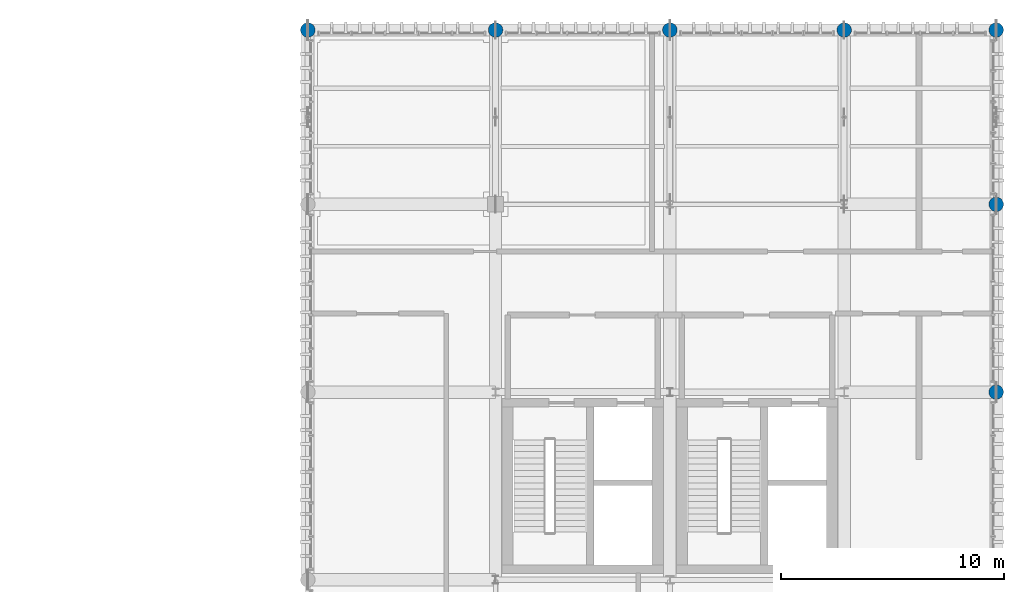
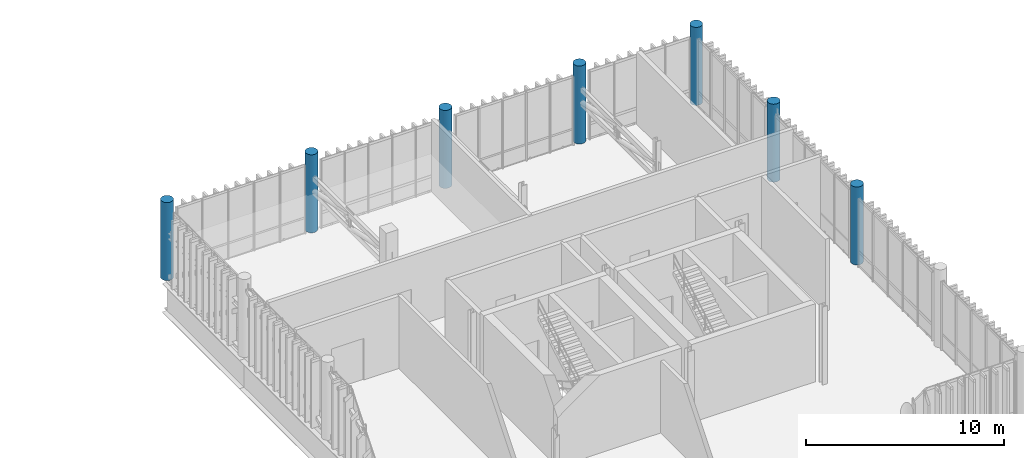
# One storey, part 5 of 81: 7 columns.
"""IFC4 building model written with IfcOpenShell, lengths in metres."""

from ifc_helpers import new_model, si_unit, direction, frame, origin_with_axes, origin_2d_with_axis, place, context, subcontext, project, spatial, circle, extrude, material, material_profile, profile_set, type_object, element, save


model = new_model("IFC4")

# Units and contexts
model_context = context("Model", 3, precision=1e-05, world=origin_with_axes(), true_north=direction((0.0, 1.0)))
body_context = subcontext(model_context, "Body", "Model", "MODEL_VIEW")
ifc_project = project(units=[si_unit("LENGTHUNIT", "METRE"), si_unit("AREAUNIT", "SQUARE_METRE"), si_unit("VOLUMEUNIT", "CUBIC_METRE"), si_unit("PLANEANGLEUNIT", "RADIAN"), si_unit("MASSUNIT", "GRAM", prefix="KILO"), si_unit("THERMODYNAMICTEMPERATUREUNIT", "KELVIN")], contexts=[model_context])

# Site, building, storey
site_placement = place(None, origin_with_axes())
site = spatial("IfcSite", under=ifc_project, at=site_placement, CompositionType="ELEMENT")
building_placement = place(site_placement, origin_with_axes())
building = spatial("IfcBuilding", under=site, at=building_placement, Name="Montbau Bow Law Courts", CompositionType="ELEMENT")
storey_placement = place(building_placement, frame((0.0, 0.0, 24.9), z_axis=(0.0, 0.0, 1.0), x_axis=(1.0, 0.0, 0.0)))
storey = spatial("IfcBuildingStorey", under=building, at=storey_placement, Name="L05", CompositionType="ELEMENT", Elevation=24.9)

# Columns
ifc_material = material(Name="Concrete CSA A23.1 f'c 40 MPa", Category="concrete")
ifc_material_profile = material_profile(ifc_material, circle(Radius=0.325, at=origin_2d_with_axis()), Name="RC650D", Category="Main", Priority=0)
ifc_profile_set = profile_set([ifc_material_profile], Name="Concrete CSA A23.1 f'c 40 MPa")
column_type = type_object("IfcColumnType", Name="C-RC-08", PredefinedType="COLUMN", material=ifc_profile_set)
for number, where, z_axis, x_axis, name in (
    (1, (138.6, 111.0, 24.9), (0.0, 0.0, 1.0), (1.0, 0.0, 0.0), "C-L05-S0893:col2_0893"),
    (2, (147.0, 111.0, 24.9), (0.0, 0.0, 1.0), (1.0, 0.0, 0.0), "C-L05-S0898:col2_0898"),
    (3, (154.8, 111.0, 24.9), (0.0, 0.0, 1.0), (1.0, 0.0, 0.0), "C-L05-S0903:col2_0903"),
    (4, (162.6, 111.0, 24.9), (0.0, 0.0, 1.0), (1.0, 0.0, 0.0), "C-L05-S0908:col2_0908"),
    (5, (169.4, 94.8, 24.9), (0.0, 0.0, 1.0), (1.0, 0.0, 0.0), "C-L05-S0911:col2_0911"),
    (6, (169.4, 103.2, 24.9), (0.0, 0.0, 1.0), (1.0, 0.0, 0.0), "C-L05-S0912:col2_0912"),
    (7, (169.4, 111.0, 24.9), (0.0, 0.0, 1.0), (1.0, 0.0, 0.0), "C-L05-S0913:col2_0913"),
):
    element("IfcColumn", number, at=place(None, frame(where, z_axis=z_axis, x_axis=x_axis)), inside=storey, type_object=column_type, Name=name, PredefinedType="COLUMN", context=body_context, shape_type="SweptSolid", body=[
        extrude(circle(Radius=0.325, at=origin_2d_with_axis()), origin_with_axes(), (0.0, 0.0, 1.0), 4.8),
    ])

save(model, "model.ifc")
